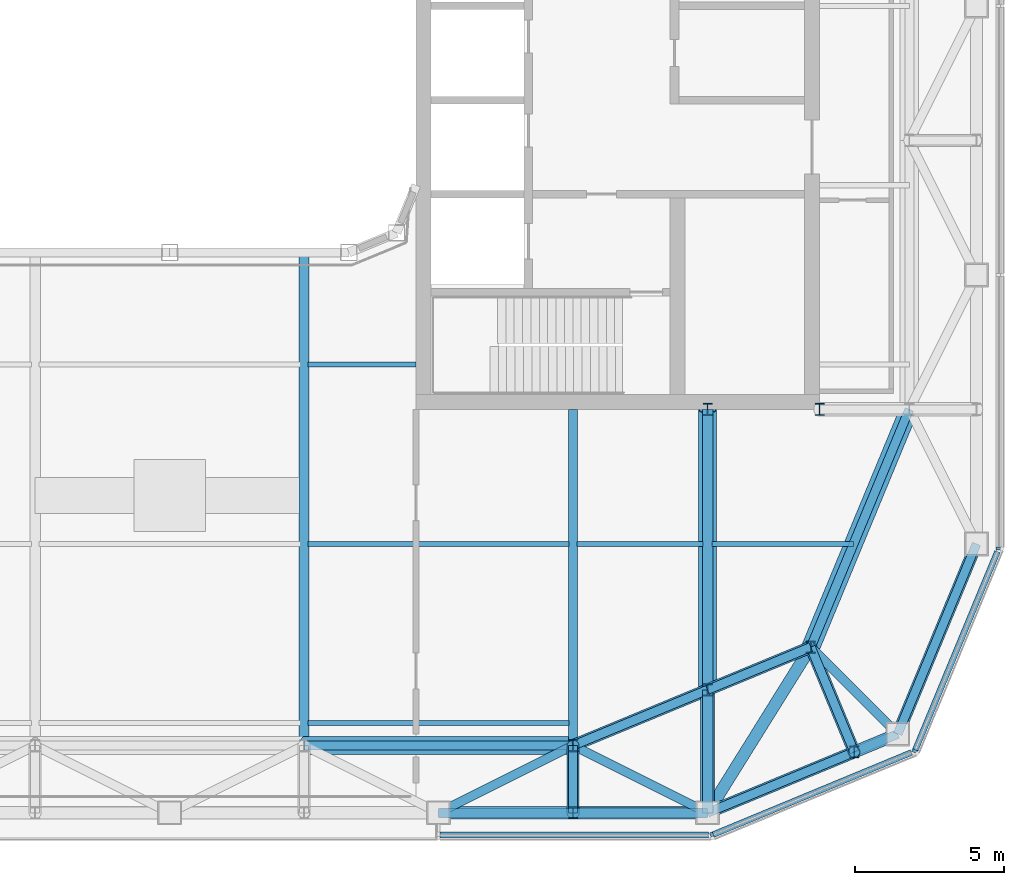
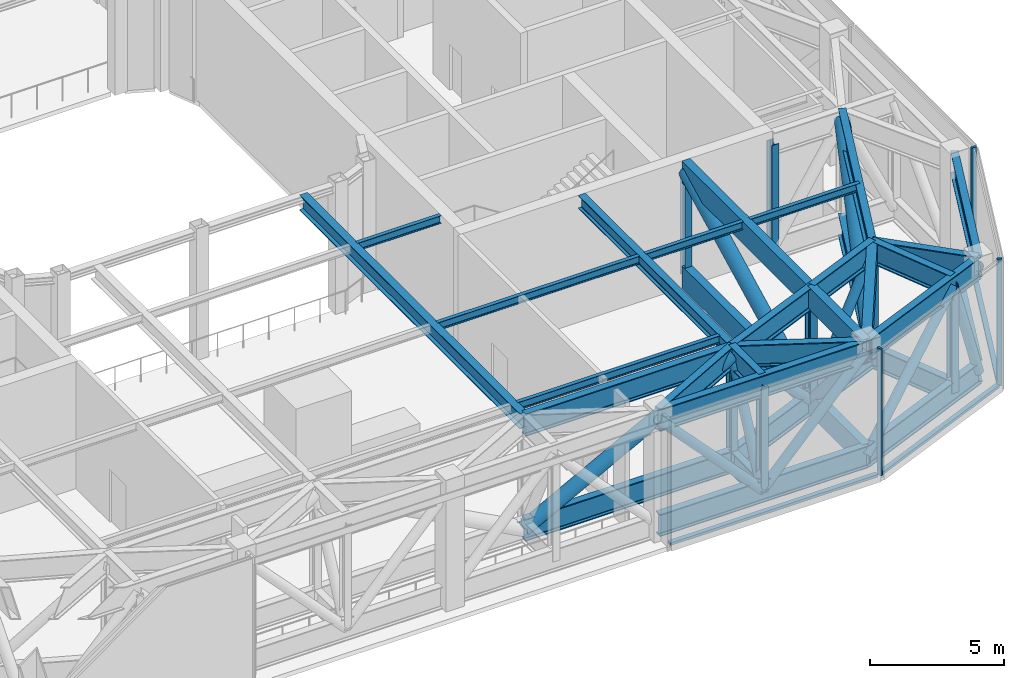
# One storey, part 4 of 21: 33 beams, 26 members, 4 elements without a shape of their own.
"""IFC4 building model written with IfcOpenShell, lengths in metres."""

from ifc_helpers import new_model, si_unit, direction, frame, origin, origin_2d, place, context, subcontext, project, spatial, rectangle, hollow_rectangle, hollow_circle, i_section, extrude, material, layer, layer_set, material_profile, profile_set, type_object, element, aggregate, save


model = new_model("IFC4")

# Units and contexts
model_context = context("Model", 3, precision=1e-05, world=origin(), true_north=direction((0.0, 1.0)))
body_context = subcontext(model_context, "Body", "Model", "MODEL_VIEW")
ifc_project = project(units=[si_unit("LENGTHUNIT", "METRE"), si_unit("AREAUNIT", "SQUARE_METRE"), si_unit("VOLUMEUNIT", "CUBIC_METRE"), si_unit("PLANEANGLEUNIT", "RADIAN"), si_unit("MASSUNIT", "GRAM", prefix="KILO")], contexts=[model_context])

# Site, building, storey
site_placement = place(None, origin())
site = spatial("IfcSite", under=ifc_project, at=site_placement, CompositionType="ELEMENT")
building_placement = place(site_placement, origin())
building = spatial("IfcBuilding", under=site, at=building_placement, Name="Siwar Civic Tower", CompositionType="ELEMENT")
storey_placement = place(building_placement, frame((0.0, 0.0, 278.199951171875)))
storey = spatial("IfcBuildingStorey", under=building, at=storey_placement, Name="L60", CompositionType="ELEMENT", Elevation=278.199951171875)

# Curtain wall, member
ifc_material_1 = material(Name="Aluminium and glass", Category="aluminium")
ifc_layer = layer(ifc_material_1, 0.199951171875)
ifc_layer_set = layer_set([ifc_layer], Name="Aluminium and glass")
curtain_wall_type = type_object("IfcCurtainWallType", Name="ENV-CW-P", PredefinedType="NOTDEFINED", material=ifc_layer_set)
curtain_wall_1_placement = place(storey_placement, origin())
curtain_wall_1 = element("IfcCurtainWall", 1, at=curtain_wall_1_placement, inside=storey, type_object=curtain_wall_type, Name="Curtain wall P SE1", PredefinedType="NOTDEFINED")
ifc_material_2 = material(Name="Aluminium 6063-T6", Category="aluminium")
ifc_material_profile_1 = material_profile(ifc_material_2, rectangle(XDim=0.199951171875, YDim=0.10009765625, at=origin_2d()), Name="AL 200x100")
ifc_profile_set_1 = profile_set([ifc_material_profile_1], Name="Aluminium 6063-T6")
member_type_1 = type_object("IfcMemberType", Name="ENV-MULLION-P", PredefinedType="MULLION", material=ifc_profile_set_1)
member_1_placement = place(storey_placement, frame((18.149169921875, -27.75, 0.0), z_axis=(0.0, 0.0, 1.0), x_axis=(-0.382683432365, 0.923879532511, 0.0)))
member_1 = element("IfcMember", 2, at=member_1_placement, type_object=member_type_1, Name="Mullion P SE1 1", PredefinedType="MULLION", context=body_context, shape_type="SweptSolid", body=[
    extrude(rectangle(XDim=0.199951171875, YDim=0.10009765625, at=origin_2d()), origin(), (0.0, 0.0, 1.0), 5.800048828125),
])

curtain_wall_2_placement = place(storey_placement, origin())
curtain_wall_2 = element("IfcCurtainWall", 3, at=curtain_wall_2_placement, inside=storey, type_object=curtain_wall_type, Name="Curtain wall P SE2", PredefinedType="NOTDEFINED")
member_2_placement = place(storey_placement, frame((24.93798828125, -24.93798828125, 0.0), z_axis=(0.0, 0.0, 1.0), x_axis=(-0.923879532511, 0.382683432365, 0.0)))
member_2 = element("IfcMember", 4, at=member_2_placement, type_object=member_type_1, Name="Mullion P SE2 1", PredefinedType="MULLION", context=body_context, shape_type="SweptSolid", body=[
    extrude(rectangle(XDim=0.199951171875, YDim=0.10009765625, at=origin_2d()), origin(), (0.0, 0.0, 1.0), 5.800048828125),
])

curtain_wall_3_placement = place(storey_placement, origin())
curtain_wall_3 = element("IfcCurtainWall", 5, at=curtain_wall_3_placement, inside=storey, type_object=curtain_wall_type, Name="Curtain wall P E", PredefinedType="NOTDEFINED")
member_3_placement = place(storey_placement, frame((27.75, -18.149169921875, 0.0), z_axis=(0.0, 0.0, 1.0), x_axis=(-1.0, 0.0, 0.0)))
member_3 = element("IfcMember", 6, at=member_3_placement, type_object=member_type_1, Name="Mullion P E 1", PredefinedType="MULLION", context=body_context, shape_type="SweptSolid", body=[
    extrude(rectangle(XDim=0.199951171875, YDim=0.10009765625, at=origin_2d()), origin(), (0.0, 0.0, 1.0), 5.800048828125),
])
aggregate(curtain_wall_3, [member_3])

curtain_wall_4_placement = place(storey_placement, origin())
curtain_wall_4 = element("IfcCurtainWall", 7, at=curtain_wall_4_placement, inside=storey, type_object=curtain_wall_type, Name="Curtain wall P S-03", PredefinedType="NOTDEFINED")
ifc_material_3 = material(Name="Aluminium 6063-T6", Category="aluminium")
ifc_material_profile_2 = material_profile(ifc_material_3, rectangle(XDim=0.199951171875, YDim=0.1201171875, at=origin_2d()), Name="AL 200x120")
ifc_profile_set_2 = profile_set([ifc_material_profile_2], Name="Aluminium 6063-T6")
member_type_2 = type_object("IfcMemberType", Name="ENV-TRANSOM-P", PredefinedType="USERDEFINED", material=ifc_profile_set_2)
member_4_placement = place(storey_placement, frame((9.050048828125, -27.75, 0.06005859375), z_axis=(1.0, 0.0, 0.0), x_axis=(0.0, 1.0, 0.0)))
member_4 = element("IfcMember", 8, at=member_4_placement, type_object=member_type_2, Name="Transom P S-03 1", ObjectType="TRANSOM", PredefinedType="USERDEFINED", context=body_context, shape_type="SweptSolid", body=[
    extrude(rectangle(XDim=0.199951171875, YDim=0.1201171875, at=origin_2d()), origin(), (0.0, 0.0, 1.0), 8.97314453125),
])
aggregate(curtain_wall_4, [member_4])

# Member
member_5_placement = place(storey_placement, frame((18.1953125, -27.73095703125, 0.06005859375), z_axis=(0.923881582012, 0.382678484395, 0.0), x_axis=(-0.382678484395, 0.923881582012, 0.0)))
member_5 = element("IfcMember", 9, at=member_5_placement, type_object=member_type_2, Name="Transom P SE1 1", ObjectType="TRANSOM", PredefinedType="USERDEFINED", context=body_context, shape_type="SweptSolid", body=[
    extrude(rectangle(XDim=0.199951171875, YDim=0.1201171875, at=origin_2d()), origin(), (0.0, 0.0, 1.0), 7.172119140625),
])

aggregate(curtain_wall_1, [member_1, member_5])

member_6_placement = place(storey_placement, frame((24.95703125, -24.891845703125, 0.06005859375), z_axis=(0.382678484395, 0.923881582012, 0.0), x_axis=(-0.923881582012, 0.382678484395, 0.0)))
member_6 = element("IfcMember", 10, at=member_6_placement, type_object=member_type_2, Name="Transom P SE2 1", ObjectType="TRANSOM", PredefinedType="USERDEFINED", context=body_context, shape_type="SweptSolid", body=[
    extrude(rectangle(XDim=0.199951171875, YDim=0.1201171875, at=origin_2d()), origin(), (0.0, 0.0, 1.0), 7.172119140625),
])

aggregate(curtain_wall_2, [member_2, member_6])

# Beams
ifc_material_4 = material(Name="Steel S460", Category="steel")
ifc_material_profile_3 = material_profile(ifc_material_4, i_section(OverallWidth=0.302001953125, OverallDepth=1.008056640625, WebThickness=0.02099609375, FlangeThickness=0.0400390625, FilletRadius=0.030029296875, at=origin_2d()), Name="HEM1000")
ifc_profile_set_3 = profile_set([ifc_material_profile_3], Name="Steel S460")
beam_type_1 = type_object("IfcBeamType", Name="STR-BELT-TRUSS-CHORD-HEM1000", PredefinedType="BEAM", material=ifc_profile_set_3)
for number, where, z_axis, x_axis, name in (
    (11, (4.5, -24.75, 0.504150390625), (1.0, 0.0, 0.0), (0.0, 1.0, 0.0), "Belt truss chord"),
    (12, (4.5, -24.75, 5.296142578125), (1.0, 0.0, 0.0), (0.0, 1.0, 0.0), "Belt truss chord"),
):
    element("IfcBeam", number, at=place(storey_placement, frame(where, z_axis=z_axis, x_axis=x_axis)), inside=storey, type_object=beam_type_1, Name=name, PredefinedType="BEAM", context=body_context, shape_type="SweptSolid", body=[
        extrude(i_section(OverallWidth=0.302001953125, OverallDepth=1.008056640625, WebThickness=0.02099609375, FlangeThickness=0.0400390625, FilletRadius=0.030029296875, at=origin_2d()), origin(), (0.0, 0.0, 1.0), 9.0),
    ])
for number, where, z_axis, x_axis, name in (
    (13, (13.5, -24.75, 0.504150390625), (0.923875711423, 0.382692657157, 0.0), (-0.382692657157, 0.923875711423, 0.0), "Belt truss chord"),
    (14, (13.5, -24.75, 5.296142578125), (0.923875711423, 0.382692657157, 0.0), (-0.382692657157, 0.923875711423, 0.0), "Belt truss chord"),
):
    element("IfcBeam", number, at=place(storey_placement, frame(where, z_axis=z_axis, x_axis=x_axis)), inside=storey, type_object=beam_type_1, Name=name, PredefinedType="BEAM", context=body_context, shape_type="SweptSolid", body=[
        extrude(i_section(OverallWidth=0.302001953125, OverallDepth=1.008056640625, WebThickness=0.02099609375, FlangeThickness=0.0400390625, FilletRadius=0.030029296875, at=origin_2d()), origin(), (0.0, 0.0, 1.0), 4.870849609375),
    ])
for number, where, z_axis, x_axis, name in (
    (15, (18.0, -22.885986328125, 0.504150390625), (0.923868824781, 0.382709282091, 0.0), (-0.382709282091, 0.923868824781, 0.0), "Belt truss chord"),
    (16, (18.0, -22.885986328125, 5.296142578125), (0.923868824781, 0.382709282091, 0.0), (-0.382709282091, 0.923868824781, 0.0), "Belt truss chord"),
):
    element("IfcBeam", number, at=place(storey_placement, frame(where, z_axis=z_axis, x_axis=x_axis)), inside=storey, type_object=beam_type_1, Name=name, PredefinedType="BEAM", context=body_context, shape_type="SweptSolid", body=[
        extrude(i_section(OverallWidth=0.302001953125, OverallDepth=1.008056640625, WebThickness=0.02099609375, FlangeThickness=0.0400390625, FilletRadius=0.030029296875, at=origin_2d()), origin(), (0.0, 0.0, 1.0), 3.739501953125),
    ])
for number, where, z_axis, x_axis, name in (
    (17, (21.454833984375, -21.454833984375, 0.504150390625), (0.382699877515, 0.923872720536, 0.0), (-0.923872720536, 0.382699877515, 0.0), "Belt truss chord"),
    (18, (21.454833984375, -21.454833984375, 5.296142578125), (0.382699877515, 0.923872720536, 0.0), (-0.923872720536, 0.382699877515, 0.0), "Belt truss chord"),
):
    element("IfcBeam", number, at=place(storey_placement, frame(where, z_axis=z_axis, x_axis=x_axis)), inside=storey, type_object=beam_type_1, Name=name, PredefinedType="BEAM", context=body_context, shape_type="SweptSolid", body=[
        extrude(i_section(OverallWidth=0.302001953125, OverallDepth=1.008056640625, WebThickness=0.02099609375, FlangeThickness=0.0400390625, FilletRadius=0.030029296875, at=origin_2d()), origin(), (0.0, 0.0, 1.0), 8.6103515625),
    ])
for number, where, z_axis, x_axis, name in (
    (19, (9.0, -27.0, 0.504150390625), (1.0, 0.0, 0.0), (0.0, 1.0, 0.0), "Belt truss chord"),
    (20, (9.0, -27.0, 5.296142578125), (1.0, 0.0, 0.0), (0.0, 1.0, 0.0), "Belt truss chord"),
):
    element("IfcBeam", number, at=place(storey_placement, frame(where, z_axis=z_axis, x_axis=x_axis)), inside=storey, type_object=beam_type_1, Name=name, PredefinedType="BEAM", context=body_context, shape_type="SweptSolid", body=[
        extrude(i_section(OverallWidth=0.302001953125, OverallDepth=1.008056640625, WebThickness=0.02099609375, FlangeThickness=0.0400390625, FilletRadius=0.030029296875, at=origin_2d()), origin(), (0.0, 0.0, 1.0), 9.0),
    ])
for number, where, z_axis, x_axis, name in (
    (21, (18.0, -27.0, 0.504150390625), (0.923883353507, 0.382674207535, 0.0), (-0.382674207535, 0.923883353507, 0.0), "Belt truss chord"),
    (22, (18.0, -27.0, 5.296142578125), (0.923883353507, 0.382674207535, 0.0), (-0.382674207535, 0.923883353507, 0.0), "Belt truss chord"),
    (23, (24.364013671875, -24.364013671875, 0.504150390625), (0.382674207535, 0.923883353507, 0.0), (-0.923883353507, 0.382674207535, 0.0), "Belt truss chord"),
    (24, (24.364013671875, -24.364013671875, 5.296142578125), (0.382674207535, 0.923883353507, 0.0), (-0.923883353507, 0.382674207535, 0.0), "Belt truss chord"),
):
    element("IfcBeam", number, at=place(storey_placement, frame(where, z_axis=z_axis, x_axis=x_axis)), inside=storey, type_object=beam_type_1, Name=name, PredefinedType="BEAM", context=body_context, shape_type="SweptSolid", body=[
        extrude(i_section(OverallWidth=0.302001953125, OverallDepth=1.008056640625, WebThickness=0.02099609375, FlangeThickness=0.0400390625, FilletRadius=0.030029296875, at=origin_2d()), origin(), (0.0, 0.0, 1.0), 6.888427734375),
    ])

# Members
ifc_material_5 = material(Name="Steel S355", Category="steel")
ifc_material_profile_4 = material_profile(ifc_material_5, hollow_circle(Radius=0.203125, WallThickness=0.01611328125, at=origin_2d()), Name="CHS406.4x16")
ifc_profile_set_4 = profile_set([ifc_material_profile_4], Name="Steel S355")
member_type_3 = type_object("IfcMemberType", Name="STR-BELT-TRUSS-DIAGONAL-CHS406.4x16", PredefinedType="BRACE", material=ifc_profile_set_4)
member_7_placement = place(storey_placement, frame((18.003173828125, -22.884765625, 0.50048828125), z_axis=(-0.658560782999, -0.272800723091, 0.701339761155), x_axis=(0.382702489371, -0.923871638611, 0.0)))
element("IfcMember", 25, at=member_7_placement, inside=storey, type_object=member_type_3, Name="Belt truss diagonal", PredefinedType="BRACE", context=body_context, shape_type="SweptSolid", body=[
    extrude(hollow_circle(Radius=0.203125, WallThickness=0.01611328125, at=origin_2d()), origin(), (0.0, 0.0, 1.0), 6.8427734375),
])
member_8_placement = place(storey_placement, frame((17.9970703125, -22.88720703125, 0.5), z_axis=(0.568386651016, 0.235414322971, 0.78836331186), x_axis=(-0.38265688181, 0.923890529664, 0.0)))
element("IfcMember", 26, at=member_8_placement, inside=storey, type_object=member_type_3, Name="Belt truss diagonal", PredefinedType="BRACE", context=body_context, shape_type="SweptSolid", body=[
    extrude(hollow_circle(Radius=0.203125, WallThickness=0.01611328125, at=origin_2d()), origin(), (0.0, 0.0, 1.0), 6.088623046875),
])
for number, where, z_axis, x_axis, name in (
    (27, (13.50341796875, -27.0, 0.50048828125), (-0.684545317859, 0.0, 0.728970306526), (0.0, -1.0, 0.0), "Belt truss diagonal"),
    (28, (13.49658203125, -27.0, 0.50048828125), (0.684545317859, 0.0, 0.728970306526), (0.0, 1.0, 0.0), "Belt truss diagonal"),
):
    element("IfcMember", number, at=place(storey_placement, frame(where, z_axis=z_axis, x_axis=x_axis)), inside=storey, type_object=member_type_3, Name=name, PredefinedType="BRACE", context=body_context, shape_type="SweptSolid", body=[
        extrude(hollow_circle(Radius=0.203125, WallThickness=0.01611328125, at=origin_2d()), origin(), (0.0, 0.0, 1.0), 6.583740234375),
    ])
member_9_placement = place(storey_placement, frame((17.99658203125, -27.00146484375, 0.500732421875), z_axis=(0.686111720661, 0.284196149478, 0.669688924348), x_axis=(-0.382682707675, 0.923879832688, 0.0)))
element("IfcMember", 29, at=member_9_placement, inside=storey, type_object=member_type_3, Name="Belt truss diagonal", PredefinedType="BRACE", context=body_context, shape_type="SweptSolid", body=[
    extrude(hollow_circle(Radius=0.203125, WallThickness=0.01611328125, at=origin_2d()), origin(), (0.0, 0.0, 1.0), 7.165283203125),
])
member_10_placement = place(storey_placement, frame((24.365478515625, -24.36328125, 0.499267578125), z_axis=(-0.288386442093, -0.119460581457, 0.950032857061), x_axis=(0.382702589557, -0.92387159711, 0.0)))
element("IfcMember", 30, at=member_10_placement, inside=storey, type_object=member_type_3, Name="Belt truss diagonal", PredefinedType="BRACE", context=body_context, shape_type="SweptSolid", body=[
    extrude(hollow_circle(Radius=0.203125, WallThickness=0.01611328125, at=origin_2d()), origin(), (0.0, 0.0, 1.0), 5.053955078125),
])
member_11_placement = place(storey_placement, frame((27.00146484375, -17.99609375, 0.501220703125), z_axis=(-0.314142859752, -0.758418164088, 0.571065803606), x_axis=(0.923881354208, -0.38267903437, 0.0)))
element("IfcMember", 31, at=member_11_placement, inside=storey, type_object=member_type_3, Name="Belt truss diagonal", PredefinedType="BRACE", context=body_context, shape_type="SweptSolid", body=[
    extrude(hollow_circle(Radius=0.203125, WallThickness=0.01611328125, at=origin_2d()), origin(), (0.0, 0.0, 1.0), 8.401123046875),
])
member_12_placement = place(storey_placement, frame((13.5, -27.002197265625, 0.49951171875), z_axis=(0.0, 0.425038765055, 0.905175147803), x_axis=(-1.0, 0.0, 0.0)))
element("IfcMember", 32, at=member_12_placement, inside=storey, type_object=member_type_3, Name="Belt truss diagonal", PredefinedType="BRACE", context=body_context, shape_type="SweptSolid", body=[
    extrude(hollow_circle(Radius=0.203125, WallThickness=0.01611328125, at=origin_2d()), origin(), (0.0, 0.0, 1.0), 5.303955078125),
])
member_13_placement = place(storey_placement, frame((21.453857421875, -21.4521484375, 0.500244140625), z_axis=(0.237796368673, -0.574106667856, 0.783488622106), x_axis=(0.923883173454, 0.382674642233, 0.0)))
element("IfcMember", 33, at=member_13_placement, inside=storey, type_object=member_type_3, Name="Belt truss diagonal", PredefinedType="BRACE", context=body_context, shape_type="SweptSolid", body=[
    extrude(hollow_circle(Radius=0.203125, WallThickness=0.01611328125, at=origin_2d()), origin(), (0.0, 0.0, 1.0), 6.126220703125),
])
ifc_material_6 = material(Name="Steel S355", Category="steel")
ifc_material_profile_5 = material_profile(ifc_material_6, hollow_circle(Radius=0.304931640625, WallThickness=0.030029296875, at=origin_2d()), Name="CHS610x30")
ifc_profile_set_5 = profile_set([ifc_material_profile_5], Name="Steel S355")
member_type_4 = type_object("IfcMemberType", Name="STR-BELT-TRUSS-DIAGONAL-CHS610x30", PredefinedType="BRACE", material=ifc_profile_set_5)
member_14_placement = place(storey_placement, frame((4.49560546875, -24.75, 0.501708984375), z_axis=(0.882680501151, 0.0, 0.469973544881), x_axis=(0.0, 1.0, 0.0)))
element("IfcMember", 34, at=member_14_placement, inside=storey, type_object=member_type_4, Name="Belt truss diagonal", PredefinedType="BRACE", context=body_context, shape_type="SweptSolid", body=[
    extrude(hollow_circle(Radius=0.304931640625, WallThickness=0.030029296875, at=origin_2d()), origin(), (0.0, 0.0, 1.0), 10.2060546875),
])
member_15_placement = place(storey_placement, frame((21.453369140625, -21.458984375, 0.501708984375), z_axis=(0.334378008671, 0.807284049506, 0.486296011427), x_axis=(-0.923883575944, 0.382673670509, 0.0)))
element("IfcMember", 35, at=member_15_placement, inside=storey, type_object=member_type_4, Name="Belt truss diagonal", PredefinedType="BRACE", context=body_context, shape_type="SweptSolid", body=[
    extrude(hollow_circle(Radius=0.304931640625, WallThickness=0.030029296875, at=origin_2d()), origin(), (0.0, 0.0, 1.0), 9.864013671875),
])

# Beams
ifc_material_7 = material(Name="Steel S460", Category="steel")
ifc_material_profile_6 = material_profile(ifc_material_7, i_section(OverallWidth=0.302001953125, OverallDepth=1.008056640625, WebThickness=0.02099609375, FlangeThickness=0.0400390625, FilletRadius=0.030029296875, at=origin_2d()), Name="HEM1000")
ifc_profile_set_6 = profile_set([ifc_material_profile_6], Name="Steel S460")
beam_type_2 = type_object("IfcBeamType", Name="STR-BELT-TRUSS-LADDER-CHORD-HEM1000", PredefinedType="BEAM", material=ifc_profile_set_6)
for number, where, z_axis, x_axis, name in (
    (36, (13.5, -24.75, 0.504150390625), (0.0, -1.0, 0.0), (1.0, 0.0, 0.0), "Belt truss ladder chord"),
    (37, (13.5, -24.75, 5.296142578125), (0.0, -1.0, 0.0), (1.0, 0.0, 0.0), "Belt truss ladder chord"),
):
    element("IfcBeam", number, at=place(storey_placement, frame(where, z_axis=z_axis, x_axis=x_axis)), inside=storey, type_object=beam_type_2, Name=name, PredefinedType="BEAM", context=body_context, shape_type="SweptSolid", body=[
        extrude(i_section(OverallWidth=0.302001953125, OverallDepth=1.008056640625, WebThickness=0.02099609375, FlangeThickness=0.0400390625, FilletRadius=0.030029296875, at=origin_2d()), origin(), (0.0, 0.0, 1.0), 2.25),
    ])
for number, where, z_axis, x_axis, name in (
    (38, (21.454833984375, -21.454833984375, 0.504150390625), (0.382680807349, -0.923880619824, 0.0), (0.923880619824, 0.382680807349, 0.0), "Belt truss ladder chord"),
    (39, (21.454833984375, -21.454833984375, 5.296142578125), (0.382680807349, -0.923880619824, 0.0), (0.923880619824, 0.382680807349, 0.0), "Belt truss ladder chord"),
):
    element("IfcBeam", number, at=place(storey_placement, frame(where, z_axis=z_axis, x_axis=x_axis)), inside=storey, type_object=beam_type_2, Name=name, PredefinedType="BEAM", context=body_context, shape_type="SweptSolid", body=[
        extrude(i_section(OverallWidth=0.302001953125, OverallDepth=1.008056640625, WebThickness=0.02099609375, FlangeThickness=0.0400390625, FilletRadius=0.030029296875, at=origin_2d()), origin(), (0.0, 0.0, 1.0), 3.801025390625),
    ])

# Members
ifc_material_8 = material(Name="Steel S355", Category="steel")
ifc_material_profile_7 = material_profile(ifc_material_8, i_section(OverallWidth=0.300048828125, OverallDepth=0.39990234375, WebThickness=0.013427734375, FlangeThickness=0.02392578125, FilletRadius=0.027099609375, at=origin_2d()), Name="HEB400")
ifc_profile_set_7 = profile_set([ifc_material_profile_7], Name="Steel S355")
member_type_5 = type_object("IfcMemberType", Name="STR-BELT-TRUSS-POST-HEB400", PredefinedType="POST", material=ifc_profile_set_7)
for number, where, z_axis, x_axis, name in (
    (40, (13.5, -27.0, 0.504150390625), (0.0, 0.0, 1.0), (1.0, 0.0, 0.0), "Belt truss post"),
    (41, (13.5, -24.75, 0.504150390625), (0.0, 0.0, 1.0), (1.0, 0.0, 0.0), "Belt truss post"),
    (42, (18.0, -22.885986328125, 0.504150390625), (0.0, 0.0, 1.0), (1.0, 0.0, 0.0), "Belt truss post"),
    (43, (21.454833984375, -21.454833984375, 0.504150390625), (0.0, 0.0, 1.0), (1.0, 0.0, 0.0), "Belt truss post"),
    (44, (22.909423828125, -24.966552734375, 0.504150390625), (0.0, 0.0, 1.0), (1.0, 0.0, 0.0), "Belt truss post"),
):
    element("IfcMember", number, at=place(storey_placement, frame(where, z_axis=z_axis, x_axis=x_axis)), inside=storey, type_object=member_type_5, Name=name, PredefinedType="POST", context=body_context, shape_type="SweptSolid", body=[
        extrude(i_section(OverallWidth=0.300048828125, OverallDepth=0.39990234375, WebThickness=0.013427734375, FlangeThickness=0.02392578125, FilletRadius=0.027099609375, at=origin_2d()), origin(), (0.0, 0.0, 1.0), 4.7919921875),
    ])

# Beams
ifc_material_9 = material(Name="Steel S355", Category="steel")
ifc_material_profile_8 = material_profile(ifc_material_9, i_section(OverallWidth=0.169921875, OverallDepth=0.360107421875, WebThickness=0.008056640625, FlangeThickness=0.0126953125, FilletRadius=0.01806640625, at=origin_2d()), Name="IPE360")
ifc_profile_set_8 = profile_set([ifc_material_profile_8], Name="Steel S355")
beam_type_3 = type_object("IfcBeamType", Name="STR-FB-IPE360", PredefinedType="JOIST", material=ifc_profile_set_8)
for number, where, z_axis, x_axis, name in (
    (45, (4.6298828125, -24.0, 5.6201171875), (1.0, 0.0, 0.0), (0.0, 1.0, 0.0), "L60/bm/F003"),
    (46, (4.6298828125, -18.0, 5.6201171875), (1.0, 0.0, 0.0), (0.0, 1.0, 0.0), "L60/bm/F008"),
):
    element("IfcBeam", number, at=place(storey_placement, frame(where, z_axis=z_axis, x_axis=x_axis)), inside=storey, type_object=beam_type_3, Name=name, PredefinedType="JOIST", context=body_context, shape_type="SweptSolid", body=[
        extrude(i_section(OverallWidth=0.169921875, OverallDepth=0.360107421875, WebThickness=0.008056640625, FlangeThickness=0.0126953125, FilletRadius=0.01806640625, at=origin_2d()), origin(), (0.0, 0.0, 1.0), 8.740234375),
    ])
beam_1_placement = place(storey_placement, frame((13.6298828125, -18.0, 5.6201171875), z_axis=(1.0, 0.0, 0.0), x_axis=(0.0, 1.0, 0.0)))
element("IfcBeam", 47, at=beam_1_placement, inside=storey, type_object=beam_type_3, Name="L60/bm/F009", PredefinedType="JOIST", context=body_context, shape_type="SweptSolid", body=[
    extrude(i_section(OverallWidth=0.169921875, OverallDepth=0.360107421875, WebThickness=0.008056640625, FlangeThickness=0.0126953125, FilletRadius=0.01806640625, at=origin_2d()), origin(), (0.0, 0.0, 1.0), 4.215087890625),
])
beam_2_placement = place(storey_placement, frame((18.155029296875, -18.0, 5.6201171875), z_axis=(1.0, 0.0, 0.0), x_axis=(0.0, 1.0, 0.0)))
element("IfcBeam", 48, at=beam_2_placement, inside=storey, type_object=beam_type_3, Name="L60/bm/F010", PredefinedType="JOIST", context=body_context, shape_type="SweptSolid", body=[
    extrude(i_section(OverallWidth=0.169921875, OverallDepth=0.360107421875, WebThickness=0.008056640625, FlangeThickness=0.0126953125, FilletRadius=0.01806640625, at=origin_2d()), origin(), (0.0, 0.0, 1.0), 4.73095703125),
])
beam_3_placement = place(storey_placement, frame((4.6298828125, -12.0, 5.6201171875), z_axis=(1.0, 0.0, 0.0), x_axis=(0.0, 1.0, 0.0)))
element("IfcBeam", 49, at=beam_3_placement, inside=storey, type_object=beam_type_3, Name="L60/bm/F014", PredefinedType="JOIST", context=body_context, shape_type="SweptSolid", body=[
    extrude(i_section(OverallWidth=0.169921875, OverallDepth=0.360107421875, WebThickness=0.008056640625, FlangeThickness=0.0126953125, FilletRadius=0.01806640625, at=origin_2d()), origin(), (0.0, 0.0, 1.0), 3.6201171875),
])
ifc_material_10 = material(Name="Steel S460", Category="steel")
ifc_material_profile_9 = material_profile(ifc_material_10, hollow_rectangle(XDim=0.35009765625, YDim=1.008056640625, WallThickness=0.0400390625, at=origin_2d()), Name="BOX1008x350x40")
ifc_profile_set_9 = profile_set([ifc_material_profile_9], Name="Steel S460")
beam_type_4 = type_object("IfcBeamType", Name="STR-OUTRIGGER-TRUSS-CHORD-BOX1008x350x40", PredefinedType="BEAM", material=ifc_profile_set_9)
for number, where, z_axis, x_axis, name in (
    (50, (18.0, -27.0, 0.504150390625), (0.0, 1.0, 0.0), (-1.0, 0.0, 0.0), "Outrigger truss chord"),
    (51, (18.0, -27.0, 5.296142578125), (0.0, 1.0, 0.0), (-1.0, 0.0, 0.0), "Outrigger truss chord"),
):
    element("IfcBeam", number, at=place(storey_placement, frame(where, z_axis=z_axis, x_axis=x_axis)), inside=storey, type_object=beam_type_4, Name=name, PredefinedType="BEAM", context=body_context, shape_type="SweptSolid", body=[
        extrude(hollow_rectangle(XDim=0.35009765625, YDim=1.008056640625, WallThickness=0.0400390625, at=origin_2d()), origin(), (0.0, 0.0, 1.0), 4.114013671875),
    ])
for number, where, z_axis, x_axis, name in (
    (52, (18.0, -22.885986328125, 0.504150390625), (0.0, 1.0, 0.0), (-1.0, 0.0, 0.0), "Outrigger truss chord"),
    (53, (18.0, -22.885986328125, 5.296142578125), (0.0, 1.0, 0.0), (-1.0, 0.0, 0.0), "Outrigger truss chord"),
):
    element("IfcBeam", number, at=place(storey_placement, frame(where, z_axis=z_axis, x_axis=x_axis)), inside=storey, type_object=beam_type_4, Name=name, PredefinedType="BEAM", context=body_context, shape_type="SweptSolid", body=[
        extrude(hollow_rectangle(XDim=0.35009765625, YDim=1.008056640625, WallThickness=0.0400390625, at=origin_2d()), origin(), (0.0, 0.0, 1.0), 9.385986328125),
    ])

# Members
ifc_material_11 = material(Name="Steel S355", Category="steel")
ifc_material_profile_10 = material_profile(ifc_material_11, hollow_circle(Radius=0.228515625, WallThickness=0.02001953125, at=origin_2d()), Name="CHS457x20")
ifc_profile_set_10 = profile_set([ifc_material_profile_10], Name="Steel S355")
member_type_6 = type_object("IfcMemberType", Name="STR-OUTRIGGER-TRUSS-DIAGONAL-CHS457x20", PredefinedType="BRACE", material=ifc_profile_set_10)
member_16_placement = place(storey_placement, frame((18.0, -22.8828125, 0.500244140625), z_axis=(0.0, -0.651379194735, 0.758752360567), x_axis=(1.0, 0.0, 0.0)))
element("IfcMember", 54, at=member_16_placement, inside=storey, type_object=member_type_6, Name="Outrigger truss diagonal", PredefinedType="BRACE", context=body_context, shape_type="SweptSolid", body=[
    extrude(hollow_circle(Radius=0.228515625, WallThickness=0.02001953125, at=origin_2d()), origin(), (0.0, 0.0, 1.0), 6.32568359375),
])
ifc_material_12 = material(Name="Steel S355", Category="steel")
ifc_material_profile_11 = material_profile(ifc_material_12, hollow_circle(Radius=0.304931640625, WallThickness=0.030029296875, at=origin_2d()), Name="CHS610x30")
ifc_profile_set_11 = profile_set([ifc_material_profile_11], Name="Steel S355")
member_type_7 = type_object("IfcMemberType", Name="STR-OUTRIGGER-TRUSS-DIAGONAL-CHS610x30", PredefinedType="BRACE", material=ifc_profile_set_11)
member_17_placement = place(storey_placement, frame((18.0, -22.890380859375, 0.501708984375), z_axis=(0.0, 0.890632189347, 0.454724425667), x_axis=(-1.0, 0.0, 0.0)))
element("IfcMember", 55, at=member_17_placement, inside=storey, type_object=member_type_7, Name="Outrigger truss diagonal", PredefinedType="BRACE", context=body_context, shape_type="SweptSolid", body=[
    extrude(hollow_circle(Radius=0.304931640625, WallThickness=0.030029296875, at=origin_2d()), origin(), (0.0, 0.0, 1.0), 10.54833984375),
])
ifc_material_13 = material(Name="Steel S355", Category="steel")
ifc_material_profile_12 = material_profile(ifc_material_13, i_section(OverallWidth=0.300048828125, OverallDepth=0.39990234375, WebThickness=0.013427734375, FlangeThickness=0.02392578125, FilletRadius=0.027099609375, at=origin_2d()), Name="HEB400")
ifc_profile_set_12 = profile_set([ifc_material_profile_12], Name="Steel S355")
member_type_8 = type_object("IfcMemberType", Name="STR-OUTRIGGER-TRUSS-POST-HEB400", PredefinedType="POST", material=ifc_profile_set_12)
for number, where, z_axis, x_axis, name in (
    (56, (18.0, -13.5, 0.504150390625), (0.0, 0.0, 1.0), (1.0, 0.0, 0.0), "Outrigger truss post"),
    (57, (21.75, -13.5, 0.504150390625), (0.0, 0.0, 1.0), (1.0, 0.0, 0.0), "Outrigger truss post"),
):
    element("IfcMember", number, at=place(storey_placement, frame(where, z_axis=z_axis, x_axis=x_axis)), inside=storey, type_object=member_type_8, Name=name, PredefinedType="POST", context=body_context, shape_type="SweptSolid", body=[
        extrude(i_section(OverallWidth=0.300048828125, OverallDepth=0.39990234375, WebThickness=0.013427734375, FlangeThickness=0.02392578125, FilletRadius=0.027099609375, at=origin_2d()), origin(), (0.0, 0.0, 1.0), 4.7919921875),
    ])

# Beams
ifc_material_14 = material(Name="Steel S355", Category="steel")
ifc_material_profile_13 = material_profile(ifc_material_14, i_section(OverallWidth=0.300048828125, OverallDepth=0.60009765625, WebThickness=0.015380859375, FlangeThickness=0.030029296875, FilletRadius=0.027099609375, at=origin_2d()), Name="HEB600")
ifc_profile_set_13 = profile_set([ifc_material_profile_13], Name="Steel S355")
beam_type_5 = type_object("IfcBeamType", Name="STR-PG-HEB600", PredefinedType="BEAM", material=ifc_profile_set_13)
beam_4_placement = place(storey_placement, frame((13.5, -24.75, 5.5), z_axis=(0.0, 1.0, 0.0), x_axis=(-1.0, 0.0, 0.0)))
element("IfcBeam", 58, at=beam_4_placement, inside=storey, type_object=beam_type_5, Name="L60/bm/G07", PredefinedType="BEAM", context=body_context, shape_type="SweptSolid", body=[
    extrude(i_section(OverallWidth=0.300048828125, OverallDepth=0.60009765625, WebThickness=0.015380859375, FlangeThickness=0.030029296875, FilletRadius=0.027099609375, at=origin_2d()), origin(), (0.0, 0.0, 1.0), 11.25),
])
ifc_material_15 = material(Name="Steel S355", Category="steel")
ifc_material_profile_14 = material_profile(ifc_material_15, i_section(OverallWidth=0.340087890625, OverallDepth=0.699951171875, WebThickness=0.013916015625, FlangeThickness=0.030029296875, at=origin_2d()), Name="PG700x340x14x30")
ifc_profile_set_14 = profile_set([ifc_material_profile_14], Name="Steel S355")
beam_type_6 = type_object("IfcBeamType", Name="STR-PG-PG700x340x14x30", PredefinedType="BEAM", material=ifc_profile_set_14)
beam_5_placement = place(storey_placement, frame((4.5, -24.75, 5.449951171875), z_axis=(0.0, 1.0, 0.0), x_axis=(-1.0, 0.0, 0.0)))
element("IfcBeam", 59, at=beam_5_placement, inside=storey, type_object=beam_type_6, Name="L60/bm/G05", PredefinedType="BEAM", context=body_context, shape_type="SweptSolid", body=[
    extrude(i_section(OverallWidth=0.340087890625, OverallDepth=0.699951171875, WebThickness=0.013916015625, FlangeThickness=0.030029296875, at=origin_2d()), origin(), (0.0, 0.0, 1.0), 16.5),
])
ifc_material_16 = material(Name="Steel S460", Category="steel")
ifc_material_profile_15 = material_profile(ifc_material_16, hollow_rectangle(XDim=0.39990234375, YDim=1.008056640625, WallThickness=0.0400390625, at=origin_2d()), Name="BOX1008x400x40")
ifc_profile_set_15 = profile_set([ifc_material_profile_15], Name="Steel S460")
beam_type_7 = type_object("IfcBeamType", Name="STR-TRANSFER-GIRDER-BOX1008x400x40", PredefinedType="BEAM", material=ifc_profile_set_15)
beam_6_placement = place(storey_placement, frame((21.454833984375, -21.454833984375, 5.296142578125), z_axis=(-0.528799264525, -0.848746922137, 0.0), x_axis=(0.848746922137, -0.528799264525, 0.0)))
element("IfcBeam", 60, at=beam_6_placement, inside=storey, type_object=beam_type_7, Name="Transfer girder", PredefinedType="BEAM", context=body_context, shape_type="SweptSolid", body=[
    extrude(hollow_rectangle(XDim=0.39990234375, YDim=1.008056640625, WallThickness=0.0400390625, at=origin_2d()), origin(), (0.0, 0.0, 1.0), 6.533447265625),
])
ifc_material_17 = material(Name="Steel S460", Category="steel")
ifc_material_profile_16 = material_profile(ifc_material_17, i_section(OverallWidth=0.302001953125, OverallDepth=1.008056640625, WebThickness=0.02099609375, FlangeThickness=0.0400390625, FilletRadius=0.030029296875, at=origin_2d()), Name="HEM1000")
ifc_profile_set_16 = profile_set([ifc_material_profile_16], Name="Steel S460")
beam_type_8 = type_object("IfcBeamType", Name="STR-TRANSFER-GIRDER-HEM1000", PredefinedType="BEAM", material=ifc_profile_set_16)
for number, where, z_axis, x_axis, name in (
    (61, (13.5, -24.75, 5.296142578125), (-0.894427191, -0.4472135955, 0.0), (0.4472135955, -0.894427191, 0.0), "Transfer girder"),
    (62, (13.5, -24.75, 5.296142578125), (0.894427191, -0.4472135955, 0.0), (0.4472135955, 0.894427191, 0.0), "Transfer girder"),
):
    element("IfcBeam", number, at=place(storey_placement, frame(where, z_axis=z_axis, x_axis=x_axis)), inside=storey, type_object=beam_type_8, Name=name, PredefinedType="BEAM", context=body_context, shape_type="SweptSolid", body=[
        extrude(i_section(OverallWidth=0.302001953125, OverallDepth=1.008056640625, WebThickness=0.02099609375, FlangeThickness=0.0400390625, FilletRadius=0.030029296875, at=origin_2d()), origin(), (0.0, 0.0, 1.0), 5.03125),
    ])
beam_7_placement = place(storey_placement, frame((21.454833984375, -21.454833984375, 5.296142578125), z_axis=(0.707106781187, -0.707106781187, 0.0), x_axis=(0.707106781187, 0.707106781187, 0.0)))
element("IfcBeam", 63, at=beam_7_placement, inside=storey, type_object=beam_type_8, Name="Transfer girder", PredefinedType="BEAM", context=body_context, shape_type="SweptSolid", body=[
    extrude(i_section(OverallWidth=0.302001953125, OverallDepth=1.008056640625, WebThickness=0.02099609375, FlangeThickness=0.0400390625, FilletRadius=0.030029296875, at=origin_2d()), origin(), (0.0, 0.0, 1.0), 4.1142578125),
])

save(model, "model.ifc")
